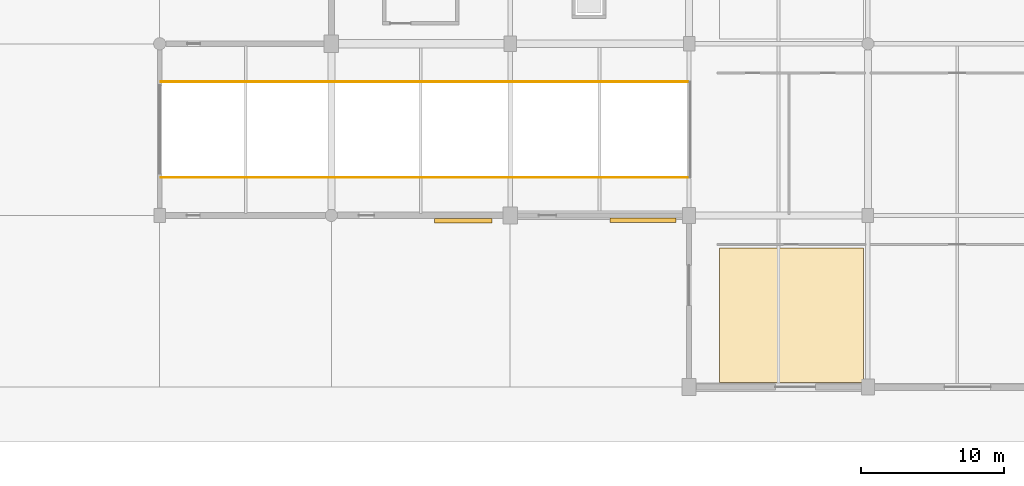
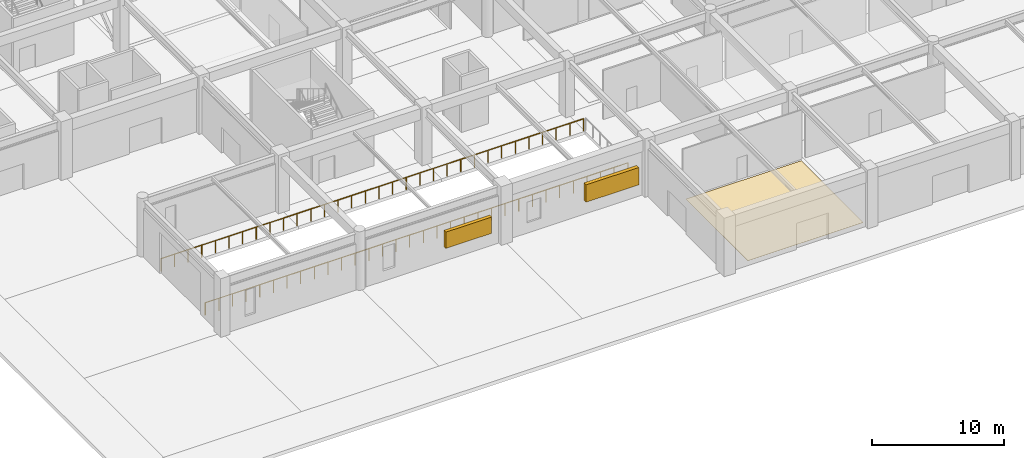
# One storey, part 39 of 69: 2 railings, 2 shading devices, 1 covering.
"""IFC4 building model written with IfcOpenShell, lengths in metres."""

from ifc_helpers import new_model, si_unit, direction, frame, origin, origin_2d, place, context, subcontext, project, spatial, polyline, rectangle, circle, outline, extrude, material, layer, layer_set, type_object, element, save


model = new_model("IFC4")

# Units and contexts
model_context = context("Model", 3, precision=1e-05, world=origin(), true_north=direction((0.0, 1.0)))
body_context = subcontext(model_context, "Body", "Model", "MODEL_VIEW")
ifc_project = project(units=[si_unit("LENGTHUNIT", "METRE"), si_unit("AREAUNIT", "SQUARE_METRE"), si_unit("VOLUMEUNIT", "CUBIC_METRE"), si_unit("PLANEANGLEUNIT", "RADIAN"), si_unit("MASSUNIT", "GRAM", prefix="KILO")], contexts=[model_context])

# Site, building, storey
site_placement = place(None, origin())
site = spatial("IfcSite", under=ifc_project, at=site_placement, CompositionType="ELEMENT")
building_placement = place(site_placement, origin())
building = spatial("IfcBuilding", under=site, at=building_placement, Name="Kazenohara Klinker Stadium", CompositionType="ELEMENT")
storey_placement = place(building_placement, origin())
storey = spatial("IfcBuildingStorey", under=building, at=storey_placement, Name="L00", CompositionType="ELEMENT", Elevation=0.0)

# Covering
ifc_material_1 = material(Name="Cushioned EPDM sports rubber flooring", Category="rubber")
ifc_layer_1 = layer(ifc_material_1, 0.014892578125)
ifc_layer_set_1 = layer_set([ifc_layer_1], Name="Cushioned EPDM sports rubber flooring")
covering_type = type_object("IfcCoveringType", Name="COV-FLR-02", PredefinedType="FLOORING", material=ifc_layer_set_1)
covering_placement = place(storey_placement, origin())
element("IfcCovering", 1, at=covering_placement, inside=storey, type_object=covering_type, Name="Interior floor finish FL02 Civic Stadium Heritage Museum Exhibition Gallery L00-0400A", PredefinedType="FLOORING", context=body_context, shape_type="SweptSolid", body=[
    extrude(outline(polyline([(51.1201171875, 0.330078125), (61.18994140625, 0.330078125), (61.18994140625, 9.719970703125), (51.1201171875, 9.719970703125), (51.1201171875, 0.330078125)])), origin(), (0.0, 0.0, 1.0), 0.014892578125),
])

# Railings
ifc_material_2 = material(Name="Galvanised powder-coated steel guardrail", Category="steel")
ifc_layer_2 = layer(ifc_material_2, 0.070068359375)
ifc_layer_set_2 = layer_set([ifc_layer_2], Name="Galvanised powder-coated steel guardrail")
railing_type = type_object("IfcRailingType", Name="RL-GRD-1150", PredefinedType="GUARDRAIL", material=ifc_layer_set_2)
railing_1_placement = place(storey_placement, frame((12.080078125, 14.64990234375, 0.0)))
element("IfcRailing", 2, at=railing_1_placement, inside=storey, type_object=railing_type, Name="Vehicle ramp floor opening guardrail GR01-S", PredefinedType="GUARDRAIL", context=body_context, shape_type="SweptSolid", body=[
    extrude(circle(Radius=0.02392578125, at=origin_2d()), frame((0.0, 0.0, 1.1259765625), z_axis=(1.0, 0.0, 0.0), x_axis=(0.0, 1.0, 0.0)), (0.0, 0.0, 1.0), 36.83984375),
    extrude(circle(Radius=0.02099609375, at=origin_2d()), origin(), (0.0, 0.0, 1.0), 1.101806640625),
    extrude(circle(Radius=0.02099609375, at=origin_2d()), frame((1.1884765625, 0.0, 0.0)), (0.0, 0.0, 1.0), 1.101806640625),
    extrude(circle(Radius=0.02099609375, at=origin_2d()), frame((2.376708984375, 0.0, 0.0)), (0.0, 0.0, 1.0), 1.101806640625),
    extrude(circle(Radius=0.02099609375, at=origin_2d()), frame((3.565185546875, 0.0, 0.0)), (0.0, 0.0, 1.0), 1.101806640625),
    extrude(circle(Radius=0.02099609375, at=origin_2d()), frame((4.75341796875, 0.0, 0.0)), (0.0, 0.0, 1.0), 1.101806640625),
    extrude(circle(Radius=0.02099609375, at=origin_2d()), frame((5.94189453125, 0.0, 0.0)), (0.0, 0.0, 1.0), 1.101806640625),
    extrude(circle(Radius=0.02099609375, at=origin_2d()), frame((7.13037109375, 0.0, 0.0)), (0.0, 0.0, 1.0), 1.101806640625),
    extrude(circle(Radius=0.02099609375, at=origin_2d()), frame((8.318603515625, 0.0, 0.0)), (0.0, 0.0, 1.0), 1.101806640625),
    extrude(circle(Radius=0.02099609375, at=origin_2d()), frame((9.507080078125, 0.0, 0.0)), (0.0, 0.0, 1.0), 1.101806640625),
    extrude(circle(Radius=0.02099609375, at=origin_2d()), frame((10.695556640625, 0.0, 0.0)), (0.0, 0.0, 1.0), 1.101806640625),
    extrude(circle(Radius=0.02099609375, at=origin_2d()), frame((11.8837890625, 0.0, 0.0)), (0.0, 0.0, 1.0), 1.101806640625),
    extrude(circle(Radius=0.02099609375, at=origin_2d()), frame((13.072265625, 0.0, 0.0)), (0.0, 0.0, 1.0), 1.101806640625),
    extrude(circle(Radius=0.02099609375, at=origin_2d()), frame((14.260498046875, 0.0, 0.0)), (0.0, 0.0, 1.0), 1.101806640625),
    extrude(circle(Radius=0.02099609375, at=origin_2d()), frame((15.448974609375, 0.0, 0.0)), (0.0, 0.0, 1.0), 1.101806640625),
    extrude(circle(Radius=0.02099609375, at=origin_2d()), frame((16.637451171875, 0.0, 0.0)), (0.0, 0.0, 1.0), 1.101806640625),
    extrude(circle(Radius=0.02099609375, at=origin_2d()), frame((17.82568359375, 0.0, 0.0)), (0.0, 0.0, 1.0), 1.101806640625),
    extrude(circle(Radius=0.02099609375, at=origin_2d()), frame((19.01416015625, 0.0, 0.0)), (0.0, 0.0, 1.0), 1.101806640625),
    extrude(circle(Radius=0.02099609375, at=origin_2d()), frame((20.202392578125, 0.0, 0.0)), (0.0, 0.0, 1.0), 1.101806640625),
    extrude(circle(Radius=0.02099609375, at=origin_2d()), frame((21.390869140625, 0.0, 0.0)), (0.0, 0.0, 1.0), 1.101806640625),
    extrude(circle(Radius=0.02099609375, at=origin_2d()), frame((22.579345703125, 0.0, 0.0)), (0.0, 0.0, 1.0), 1.101806640625),
    extrude(circle(Radius=0.02099609375, at=origin_2d()), frame((23.767578125, 0.0, 0.0)), (0.0, 0.0, 1.0), 1.101806640625),
    extrude(circle(Radius=0.02099609375, at=origin_2d()), frame((24.9560546875, 0.0, 0.0)), (0.0, 0.0, 1.0), 1.101806640625),
    extrude(circle(Radius=0.02099609375, at=origin_2d()), frame((26.144287109375, 0.0, 0.0)), (0.0, 0.0, 1.0), 1.101806640625),
    extrude(circle(Radius=0.02099609375, at=origin_2d()), frame((27.332763671875, 0.0, 0.0)), (0.0, 0.0, 1.0), 1.101806640625),
    extrude(circle(Radius=0.02099609375, at=origin_2d()), frame((28.521240234375, 0.0, 0.0)), (0.0, 0.0, 1.0), 1.101806640625),
    extrude(circle(Radius=0.02099609375, at=origin_2d()), frame((29.70947265625, 0.0, 0.0)), (0.0, 0.0, 1.0), 1.101806640625),
    extrude(circle(Radius=0.02099609375, at=origin_2d()), frame((30.89794921875, 0.0, 0.0)), (0.0, 0.0, 1.0), 1.101806640625),
    extrude(circle(Radius=0.02099609375, at=origin_2d()), frame((32.08642578125, 0.0, 0.0)), (0.0, 0.0, 1.0), 1.101806640625),
    extrude(circle(Radius=0.02099609375, at=origin_2d()), frame((33.274658203125, 0.0, 0.0)), (0.0, 0.0, 1.0), 1.101806640625),
    extrude(circle(Radius=0.02099609375, at=origin_2d()), frame((34.463134765625, 0.0, 0.0)), (0.0, 0.0, 1.0), 1.101806640625),
    extrude(circle(Radius=0.02099609375, at=origin_2d()), frame((35.6513671875, 0.0, 0.0)), (0.0, 0.0, 1.0), 1.101806640625),
    extrude(circle(Radius=0.02099609375, at=origin_2d()), frame((36.83984375, 0.0, 0.0)), (0.0, 0.0, 1.0), 1.101806640625),
])
railing_2_placement = place(storey_placement, frame((12.080078125, 21.35009765625, 0.0)))
element("IfcRailing", 3, at=railing_2_placement, inside=storey, type_object=railing_type, Name="Vehicle ramp floor opening guardrail GR01-N", PredefinedType="GUARDRAIL", context=body_context, shape_type="SweptSolid", body=[
    extrude(circle(Radius=0.02392578125, at=origin_2d()), frame((0.0, 0.0, 1.1259765625), z_axis=(1.0, 0.0, 0.0), x_axis=(0.0, 1.0, 0.0)), (0.0, 0.0, 1.0), 36.83984375),
    extrude(circle(Radius=0.02099609375, at=origin_2d()), origin(), (0.0, 0.0, 1.0), 1.101806640625),
    extrude(circle(Radius=0.02099609375, at=origin_2d()), frame((1.1884765625, 0.0, 0.0)), (0.0, 0.0, 1.0), 1.101806640625),
    extrude(circle(Radius=0.02099609375, at=origin_2d()), frame((2.376708984375, 0.0, 0.0)), (0.0, 0.0, 1.0), 1.101806640625),
    extrude(circle(Radius=0.02099609375, at=origin_2d()), frame((3.565185546875, 0.0, 0.0)), (0.0, 0.0, 1.0), 1.101806640625),
    extrude(circle(Radius=0.02099609375, at=origin_2d()), frame((4.75341796875, 0.0, 0.0)), (0.0, 0.0, 1.0), 1.101806640625),
    extrude(circle(Radius=0.02099609375, at=origin_2d()), frame((5.94189453125, 0.0, 0.0)), (0.0, 0.0, 1.0), 1.101806640625),
    extrude(circle(Radius=0.02099609375, at=origin_2d()), frame((7.13037109375, 0.0, 0.0)), (0.0, 0.0, 1.0), 1.101806640625),
    extrude(circle(Radius=0.02099609375, at=origin_2d()), frame((8.318603515625, 0.0, 0.0)), (0.0, 0.0, 1.0), 1.101806640625),
    extrude(circle(Radius=0.02099609375, at=origin_2d()), frame((9.507080078125, 0.0, 0.0)), (0.0, 0.0, 1.0), 1.101806640625),
    extrude(circle(Radius=0.02099609375, at=origin_2d()), frame((10.695556640625, 0.0, 0.0)), (0.0, 0.0, 1.0), 1.101806640625),
    extrude(circle(Radius=0.02099609375, at=origin_2d()), frame((11.8837890625, 0.0, 0.0)), (0.0, 0.0, 1.0), 1.101806640625),
    extrude(circle(Radius=0.02099609375, at=origin_2d()), frame((13.072265625, 0.0, 0.0)), (0.0, 0.0, 1.0), 1.101806640625),
    extrude(circle(Radius=0.02099609375, at=origin_2d()), frame((14.260498046875, 0.0, 0.0)), (0.0, 0.0, 1.0), 1.101806640625),
    extrude(circle(Radius=0.02099609375, at=origin_2d()), frame((15.448974609375, 0.0, 0.0)), (0.0, 0.0, 1.0), 1.101806640625),
    extrude(circle(Radius=0.02099609375, at=origin_2d()), frame((16.637451171875, 0.0, 0.0)), (0.0, 0.0, 1.0), 1.101806640625),
    extrude(circle(Radius=0.02099609375, at=origin_2d()), frame((17.82568359375, 0.0, 0.0)), (0.0, 0.0, 1.0), 1.101806640625),
    extrude(circle(Radius=0.02099609375, at=origin_2d()), frame((19.01416015625, 0.0, 0.0)), (0.0, 0.0, 1.0), 1.101806640625),
    extrude(circle(Radius=0.02099609375, at=origin_2d()), frame((20.202392578125, 0.0, 0.0)), (0.0, 0.0, 1.0), 1.101806640625),
    extrude(circle(Radius=0.02099609375, at=origin_2d()), frame((21.390869140625, 0.0, 0.0)), (0.0, 0.0, 1.0), 1.101806640625),
    extrude(circle(Radius=0.02099609375, at=origin_2d()), frame((22.579345703125, 0.0, 0.0)), (0.0, 0.0, 1.0), 1.101806640625),
    extrude(circle(Radius=0.02099609375, at=origin_2d()), frame((23.767578125, 0.0, 0.0)), (0.0, 0.0, 1.0), 1.101806640625),
    extrude(circle(Radius=0.02099609375, at=origin_2d()), frame((24.9560546875, 0.0, 0.0)), (0.0, 0.0, 1.0), 1.101806640625),
    extrude(circle(Radius=0.02099609375, at=origin_2d()), frame((26.144287109375, 0.0, 0.0)), (0.0, 0.0, 1.0), 1.101806640625),
    extrude(circle(Radius=0.02099609375, at=origin_2d()), frame((27.332763671875, 0.0, 0.0)), (0.0, 0.0, 1.0), 1.101806640625),
    extrude(circle(Radius=0.02099609375, at=origin_2d()), frame((28.521240234375, 0.0, 0.0)), (0.0, 0.0, 1.0), 1.101806640625),
    extrude(circle(Radius=0.02099609375, at=origin_2d()), frame((29.70947265625, 0.0, 0.0)), (0.0, 0.0, 1.0), 1.101806640625),
    extrude(circle(Radius=0.02099609375, at=origin_2d()), frame((30.89794921875, 0.0, 0.0)), (0.0, 0.0, 1.0), 1.101806640625),
    extrude(circle(Radius=0.02099609375, at=origin_2d()), frame((32.08642578125, 0.0, 0.0)), (0.0, 0.0, 1.0), 1.101806640625),
    extrude(circle(Radius=0.02099609375, at=origin_2d()), frame((33.274658203125, 0.0, 0.0)), (0.0, 0.0, 1.0), 1.101806640625),
    extrude(circle(Radius=0.02099609375, at=origin_2d()), frame((34.463134765625, 0.0, 0.0)), (0.0, 0.0, 1.0), 1.101806640625),
    extrude(circle(Radius=0.02099609375, at=origin_2d()), frame((35.6513671875, 0.0, 0.0)), (0.0, 0.0, 1.0), 1.101806640625),
    extrude(circle(Radius=0.02099609375, at=origin_2d()), frame((36.83984375, 0.0, 0.0)), (0.0, 0.0, 1.0), 1.101806640625),
])

# Shading devices
ifc_material_3 = material(Name="Perforated clinker-brick and bronze louvre grille", Category="masonry")
shading_device_type_1 = type_object("IfcShadingDeviceType", Name="SHD-LOUV-02", PredefinedType="JALOUSIE", material=ifc_material_3)
shading_device_1_placement = place(storey_placement, frame((33.219970703125, 11.6298828125, 1.35009765625), z_axis=(0.0, 0.0, 1.0), x_axis=(1.0, 0.0, 0.0)))
element("IfcShadingDevice", 4, at=shading_device_1_placement, inside=storey, type_object=shading_device_type_1, Name="Perforated clinker-brick louvre screen LV02-01", PredefinedType="JALOUSIE", context=body_context, shape_type="SweptSolid", body=[
    extrude(rectangle(XDim=4.0, YDim=0.300048828125, at=origin_2d()), origin(), (0.0, 0.0, 1.0), 1.5),
])
shading_device_type_2 = type_object("IfcShadingDeviceType", Name="SHD-LOUV-03", PredefinedType="JALOUSIE", material=ifc_material_3)
shading_device_2_placement = place(storey_placement, frame((45.77587890625, 11.675048828125, 1.300048828125), z_axis=(0.0, 0.0, 1.0), x_axis=(1.0, 0.0, 0.0)))
element("IfcShadingDevice", 5, at=shading_device_2_placement, inside=storey, type_object=shading_device_type_2, Name="Perforated clinker-brick louvre screen LV03-02", PredefinedType="JALOUSIE", context=body_context, shape_type="SweptSolid", body=[
    extrude(rectangle(XDim=4.60009765625, YDim=0.320068359375, at=origin_2d()), origin(), (0.0, 0.0, 1.0), 1.60009765625),
])

save(model, "model.ifc")
